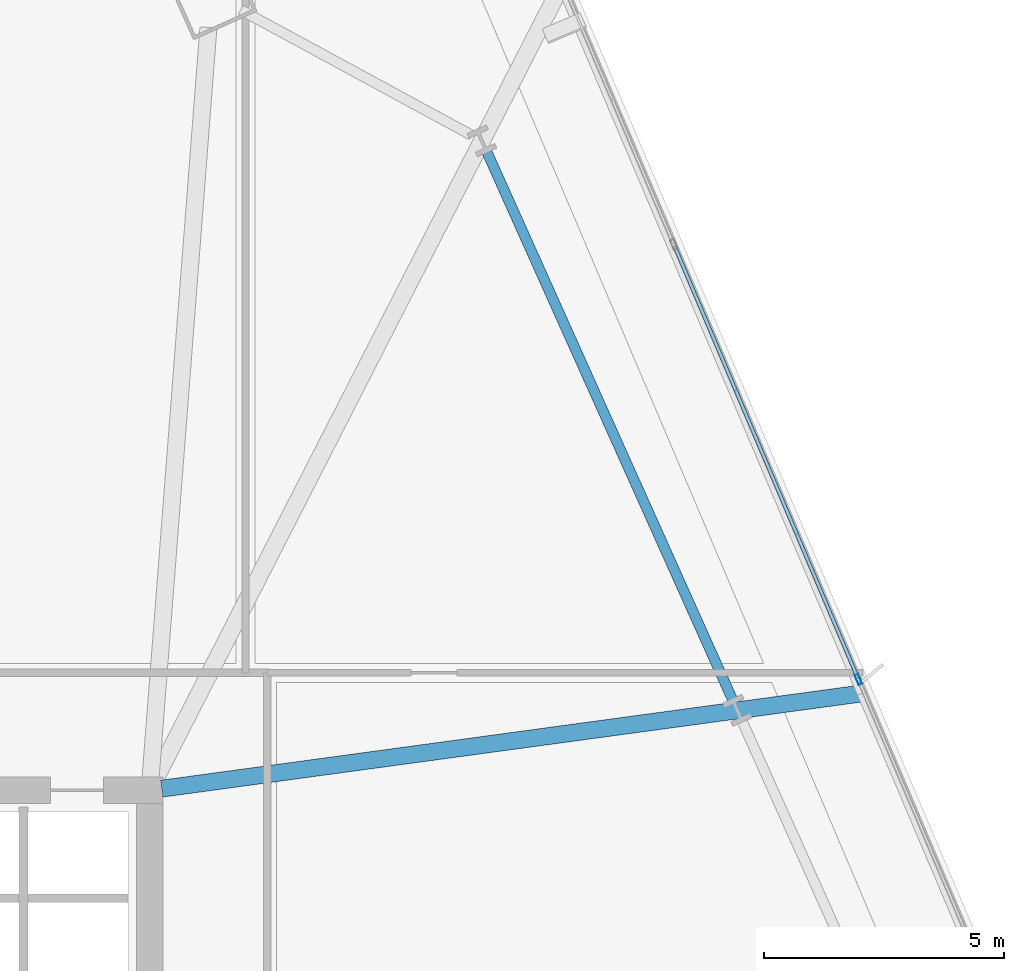
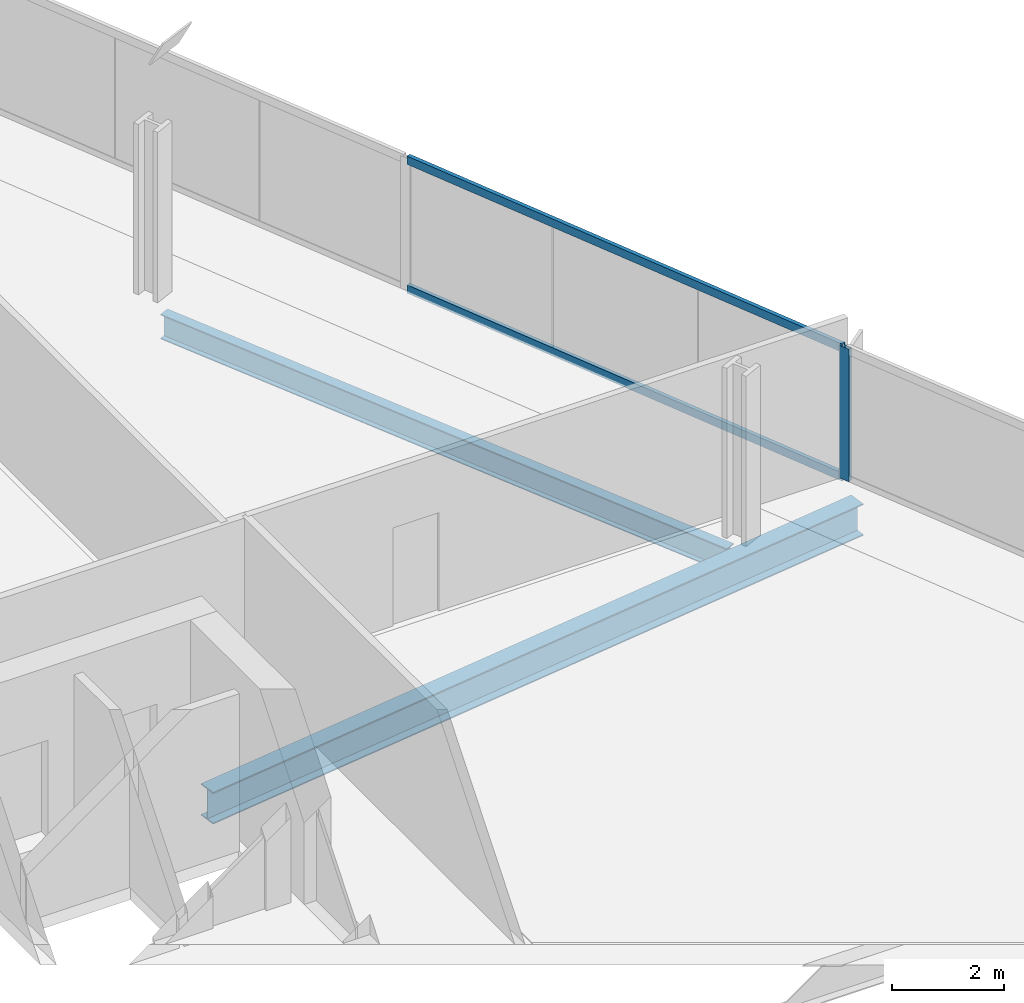
# One storey, part 21 of 34: 3 members, 2 beams, 1 element without a shape of its own.
"""IFC4 building model written with IfcOpenShell, lengths in metres."""

from ifc_helpers import new_model, si_unit, direction, frame, origin, origin_2d, place, context, subcontext, project, spatial, hollow_rectangle, i_section, extrude, material, material_profile, profile_set, type_object, element, aggregate, save


model = new_model("IFC4")

# Units and contexts
model_context = context("Model", 3, precision=1e-05, world=origin(), true_north=direction((0.0, 1.0)))
body_context = subcontext(model_context, "Body", "Model", "MODEL_VIEW")
ifc_project = project(units=[si_unit("LENGTHUNIT", "METRE"), si_unit("AREAUNIT", "SQUARE_METRE"), si_unit("VOLUMEUNIT", "CUBIC_METRE"), si_unit("PLANEANGLEUNIT", "RADIAN"), si_unit("MASSUNIT", "GRAM", prefix="KILO")], contexts=[model_context])

# Site, building, storey
site_placement = place(None, origin())
site = spatial("IfcSite", under=ifc_project, at=site_placement, CompositionType="ELEMENT")
building_placement = place(site_placement, origin())
building = spatial("IfcBuilding", under=site, at=building_placement, Name="Haldenkirk Collegiate Tower", CompositionType="ELEMENT")
storey_placement = place(building_placement, frame((0.0, 0.0, 105.449951171875)))
storey = spatial("IfcBuildingStorey", under=building, at=storey_placement, Name="L25", CompositionType="ELEMENT", Elevation=105.449951171875)

# Beams
ifc_material_1 = material(Name="Steel ASTM A992 Grade 50", Category="steel")
ifc_material_profile_1 = material_profile(ifc_material_1, i_section(OverallWidth=0.35498046875, OverallDepth=0.696044921875, WebThickness=0.015380859375, FlangeThickness=0.02490234375, at=origin_2d()), Name="W27X146")
ifc_profile_set_1 = profile_set([ifc_material_profile_1], Name="Steel ASTM A992 Grade 50")
beam_type_1 = type_object("IfcBeamType", Name="BM-GIRDER-W27X146", PredefinedType="BEAM", material=ifc_profile_set_1)
beam_1_placement = place(storey_placement, frame((59.861083984375, 36.021728515625, -0.64794921875), z_axis=(-0.990873246988, -0.13479691541, 0.0), x_axis=(0.13479691541, -0.990873246988, 0.0)))
element("IfcBeam", 1, at=beam_1_placement, inside=storey, type_object=beam_type_1, Name="L25 primary floor girder 09", PredefinedType="BEAM", context=body_context, shape_type="SweptSolid", body=[
    extrude(i_section(OverallWidth=0.35498046875, OverallDepth=0.696044921875, WebThickness=0.015380859375, FlangeThickness=0.02490234375, at=origin_2d()), origin(), (0.0, 0.0, 1.0), 14.742919921875),
])
ifc_material_profile_2 = material_profile(ifc_material_1, i_section(OverallWidth=0.2119140625, OverallDepth=0.5439453125, WebThickness=0.01318359375, FlangeThickness=0.021240234375, at=origin_2d()), Name="W21X83")
ifc_profile_set_2 = profile_set([ifc_material_profile_2], Name="Steel ASTM A992 Grade 50")
beam_type_2 = type_object("IfcBeamType", Name="BM-SPANDREL-W21X83", PredefinedType="SPANDREL", material=ifc_profile_set_2)
beam_2_placement = place(storey_placement, frame((57.15478515625, 35.89111328125, -0.572021484375), z_axis=(-0.409131464477, 0.912475448861, 0.0), x_axis=(-0.912475448861, -0.409131464477, 0.0)))
element("IfcBeam", 2, at=beam_2_placement, inside=storey, type_object=beam_type_2, Name="L25 perimeter spandrel beam 07", PredefinedType="SPANDREL", context=body_context, shape_type="SweptSolid", body=[
    extrude(i_section(OverallWidth=0.2119140625, OverallDepth=0.5439453125, WebThickness=0.01318359375, FlangeThickness=0.021240234375, at=origin_2d()), origin(), (0.0, 0.0, 1.0), 12.524169921875),
])

# Curtain wall, members
ifc_material_2 = material(Name="Anodised architectural bronze aluminium", Category="aluminium")
curtain_wall_type = type_object("IfcCurtainWallType", Name="CW-SYS1-CONVEX-LOW", PredefinedType="USERDEFINED", material=ifc_material_2)
curtain_wall_placement = place(storey_placement, origin())
curtain_wall = element("IfcCurtainWall", 3, at=curtain_wall_placement, inside=storey, type_object=curtain_wall_type, Name="L25 Lower tower convex bronze-framed unitised curtain wall", ObjectType="UNITISED CURTAIN WALL", PredefinedType="USERDEFINED")
ifc_material_profile_3 = material_profile(ifc_material_2, hollow_rectangle(XDim=0.080078125, YDim=0.219970703125, WallThickness=0.0048828125, at=origin_2d()), Name="CW-MUL-1A")
ifc_profile_set_3 = profile_set([ifc_material_profile_3], Name="Anodised architectural bronze aluminium")
member_type_1 = type_object("IfcMemberType", Name="CW-MUL-1A", PredefinedType="MULLION", material=ifc_profile_set_3)
member_1_placement = place(storey_placement, frame((59.78125, 36.31201171875, 0.0), z_axis=(0.0, 0.0, 1.0), x_axis=(0.920505471827, 0.390729671687, 0.0)))
member_1 = element("IfcMember", 4, at=member_1_placement, type_object=member_type_1, Name="CW-1A mullion 3", PredefinedType="MULLION", context=body_context, shape_type="SweptSolid", body=[
    extrude(hollow_rectangle(XDim=0.080078125, YDim=0.219970703125, WallThickness=0.0048828125, at=origin_2d()), origin(), (0.0, 0.0, 1.0), 2.901123046875),
])
ifc_material_profile_4 = material_profile(ifc_material_2, hollow_rectangle(XDim=0.080078125, YDim=0.179931640625, WallThickness=0.0048828125, at=origin_2d()), Name="CW-TRN-1A")
ifc_profile_set_4 = profile_set([ifc_material_profile_4], Name="Anodised architectural bronze aluminium")
member_type_2 = type_object("IfcMemberType", Name="CW-TRN-1A", PredefinedType="USERDEFINED", material=ifc_profile_set_4)
member_2_placement = place(storey_placement, frame((55.9482421875, 45.342041015625, 0.0400390625), z_axis=(0.390723107798, -0.920508257992, 0.0), x_axis=(0.920508257992, 0.390723107798, 0.0)))
member_2 = element("IfcMember", 5, at=member_2_placement, type_object=member_type_2, Name="CW-1A transom 2.1", ObjectType="TRANSOM", PredefinedType="USERDEFINED", context=body_context, shape_type="SweptSolid", body=[
    extrude(hollow_rectangle(XDim=0.080078125, YDim=0.179931640625, WallThickness=0.0048828125, at=origin_2d()), origin(), (0.0, 0.0, 1.0), 9.77001953125),
])
member_3_placement = place(storey_placement, frame((55.9482421875, 45.342041015625, 2.861083984375), z_axis=(0.390723107798, -0.920508257992, 0.0), x_axis=(0.920508257992, 0.390723107798, 0.0)))
member_3 = element("IfcMember", 6, at=member_3_placement, type_object=member_type_2, Name="CW-1A transom 2.2", ObjectType="TRANSOM", PredefinedType="USERDEFINED", context=body_context, shape_type="SweptSolid", body=[
    extrude(hollow_rectangle(XDim=0.080078125, YDim=0.179931640625, WallThickness=0.0048828125, at=origin_2d()), origin(), (0.0, 0.0, 1.0), 9.77001953125),
])
aggregate(curtain_wall, [member_1, member_2, member_3])

save(model, "model.ifc")
